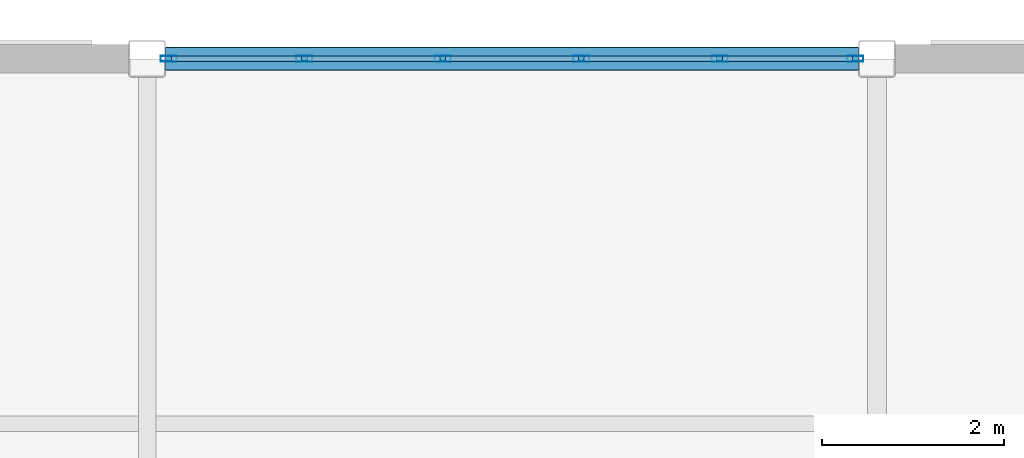
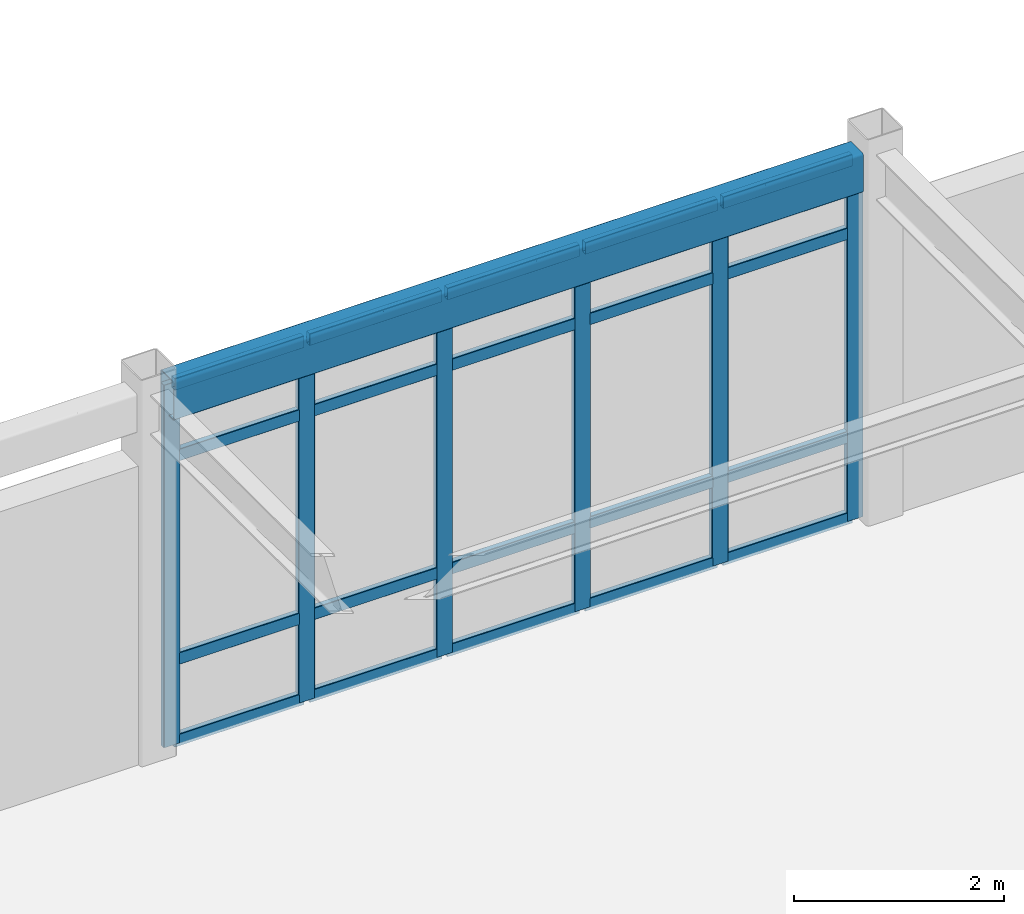
# One storey, part 60 of 111: 26 members, 1 beam, 1 element without a shape of its own.
"""IFC4 building model written with IfcOpenShell, lengths in metres."""

import ifcopenshell
import ifcopenshell.guid

model = None  # the IFC model being written
_history = None  # IfcOwnerHistory: only IFC2X3 demands one
_inside = {}  # id of a spatial element -> (the spatial element, [elements in it])
_under = {}  # id of a project, library or spatial element -> (it, [spatial elements below it])
_declared = {}  # id of a project -> (the project, [libraries it declares])
_typed = {}  # id of a type object -> (the type object, [elements of that type])
_made_of = {}  # id of a material, layer set ... -> (it, [elements and type objects made of it])


def new_model(schema):
    """Start an empty IFC model of exactly this schema.

    Asked for "IFC4X3", IfcOpenShell would pick the latest addendum, in which some entities
    have other attributes; the version numbers below select the first issue.
    IFC2X3 requires an IfcOwnerHistory on every rooted entity: one is made here for all.
    """
    global model, _history
    if schema == "IFC4X3":
        model = ifcopenshell.file(schema_version=(4, 3, 0, 0))
    else:
        model = ifcopenshell.file(schema=schema)
    _inside.clear()
    _under.clear()
    _declared.clear()
    _typed.clear()
    _made_of.clear()
    _history = None
    if model.schema == "IFC2X3":
        org = make("IfcOrganization", Name="unknown")
        user = make(
            "IfcPersonAndOrganization",
            ThePerson=make("IfcPerson", FamilyName="unknown"),
            TheOrganization=org,
        )
        app = make(
            "IfcApplication",
            ApplicationDeveloper=org,
            Version="unknown",
            ApplicationFullName="unknown",
            ApplicationIdentifier="unknown",
        )
        _history = make(
            "IfcOwnerHistory",
            OwningUser=user,
            OwningApplication=app,
            ChangeAction="ADDED",
            CreationDate=0,
        )
    return model


def make(cls, **values):
    """One entity of the class cls with the attributes given. An attribute that is None is left unset."""
    return model.create_entity(
        cls, **{name: value for name, value in values.items() if value is not None}
    )


def rooted(cls, **values):
    """An entity with a GlobalId (a new one), such as an element, a storey or a relation."""
    return make(cls, GlobalId=ifcopenshell.guid.new(), OwnerHistory=_history, **values)


def si_unit(unit_type, name, prefix=None):
    """IfcSIUnit, for example si_unit("LENGTHUNIT", "METRE", prefix="MILLI")."""
    return make("IfcSIUnit", UnitType=unit_type, Prefix=prefix, Name=name)


def assignment(units):
    """IfcUnitAssignment: the units of a project."""
    return None if units is None else make("IfcUnitAssignment", Units=units)


def point(xyz):
    """IfcCartesianPoint."""
    return None if xyz is None else make("IfcCartesianPoint", Coordinates=xyz)


def direction(xyz):
    """IfcDirection."""
    return None if xyz is None else make("IfcDirection", DirectionRatios=xyz)


def frame(location, z_axis=None, x_axis=None):
    """IfcAxis2Placement3D, a coordinate frame: its origin and axes. An axis left out is left unset."""
    return make(
        "IfcAxis2Placement3D",
        Location=point(location),
        Axis=direction(z_axis),
        RefDirection=direction(x_axis),
    )


def frame_2d(location, x_axis=None):
    """IfcAxis2Placement2D, a coordinate frame in the plane: its origin and x axis."""
    return make(
        "IfcAxis2Placement2D", Location=point(location), RefDirection=direction(x_axis)
    )


def origin():
    """The frame at (0, 0, 0) with its axes left unset."""
    return frame((0.0, 0.0, 0.0))


def origin_2d():
    """The frame at (0, 0) in the plane with its x axis left unset."""
    return frame_2d((0.0, 0.0))


def place(relative_to, where):
    """IfcLocalPlacement: puts the frame where relative to a parent placement (None: the world)."""
    return make(
        "IfcLocalPlacement", PlacementRelTo=relative_to, RelativePlacement=where
    )


def context(
    kind, dimensions, precision=None, world=None, true_north=None, identifier=None
):
    """IfcGeometricRepresentationContext, for example the 3D "Model" context."""
    return make(
        "IfcGeometricRepresentationContext",
        ContextIdentifier=identifier,
        ContextType=kind,
        CoordinateSpaceDimension=dimensions,
        Precision=precision,
        WorldCoordinateSystem=world,
        TrueNorth=true_north,
    )


def subcontext(parent, identifier, kind, view, scale=None):
    """IfcGeometricRepresentationSubContext, for example "Body" below "Model"."""
    return make(
        "IfcGeometricRepresentationSubContext",
        ContextIdentifier=identifier,
        ContextType=kind,
        ParentContext=parent,
        TargetScale=scale,
        TargetView=view,
    )


def project(units=None, contexts=None):
    """IfcProject with its units and contexts."""
    return rooted(
        "IfcProject",
        Name="project",
        RepresentationContexts=contexts,
        UnitsInContext=assignment(units),
    )


def spatial(cls, under=None, at=None, **own):
    """A site, building, storey or space (cls), placed at a placement, below another one or the project."""
    s = rooted(cls, ObjectPlacement=at, **own)
    if under is not None:
        _under.setdefault(under.id(), (under, []))[1].append(s)
    return s


def profile(cls, at=None, kind="AREA", **sizes):
    """A parametric profile (cls). Its sizes go by their IFC names, for example OverallWidth=200.0."""
    return make(cls, ProfileType=kind, Position=at, **sizes)


def hollow_rectangle(**sizes):
    """IfcRectangleHollowProfileDef."""
    return profile("IfcRectangleHollowProfileDef", **sizes)


def extrude(swept, where, along, depth):
    """IfcExtrudedAreaSolid: the profile swept, set in the frame where, extruded along a direction by depth."""
    return make(
        "IfcExtrudedAreaSolid",
        SweptArea=swept,
        Position=where,
        ExtrudedDirection=direction(along),
        Depth=depth,
    )


def shape(context_of_items, identifier, shape_type, items):
    """IfcShapeRepresentation: the items that make up one representation, for example the "Body"."""
    return make(
        "IfcShapeRepresentation",
        ContextOfItems=context_of_items,
        RepresentationIdentifier=identifier,
        RepresentationType=shape_type,
        Items=items,
    )


def material(Name=None, Category=None):
    """IfcMaterial."""
    return make("IfcMaterial", Name=Name, Category=Category)


def material_profile(
    of_material, cross_section, Name=None, Category=None, Priority=None
):
    """IfcMaterialProfile: a cross section and its material."""
    return make(
        "IfcMaterialProfile",
        Name=Name,
        Material=of_material,
        Profile=cross_section,
        Priority=Priority,
        Category=Category,
    )


def profile_set(profiles, Name=None, composite=None):
    """IfcMaterialProfileSet."""
    return make(
        "IfcMaterialProfileSet",
        Name=Name,
        MaterialProfiles=profiles,
        CompositeProfile=composite,
    )


def made_of(thing, what):
    """Note that an element or type object is made of a material, layer set ...; save() writes the relation."""
    if what is not None:
        _made_of.setdefault(what.id(), (what, []))[1].append(thing)
    return thing


def type_object(cls, material=None, **own):
    """A type object (cls), such as IfcWallType, which elements share."""
    return made_of(rooted(cls, **own), material)


def element(
    cls,
    number,
    at=None,
    inside=None,
    cuts=None,
    type_object=None,
    material=None,
    context=None,
    identifier="Body",
    shape_type=None,
    held_by="IfcProductDefinitionShape",
    body=None,
    shapes=None,
    **own,
):
    """One element of the class cls, such as IfcWall. Its Tag is "e" and its number.

    at: its placement. inside: the storey or other place that contains it. cuts: it is an
    opening in that element (IfcRelVoidsElement). A single representation is given by context,
    identifier, shape_type and body (its items); several are given by shapes. held_by: the class
    of the entity that holds the representations. save() writes the other relations.
    """
    e = rooted(cls, Tag="e%d" % number, ObjectPlacement=at, **own)
    if body is not None:
        shapes = [shape(context, identifier, shape_type, body)]
    if shapes is not None:
        e.Representation = make(held_by, Representations=shapes)
    if inside is not None:
        _inside.setdefault(inside.id(), (inside, []))[1].append(e)
    if cuts is not None:
        rooted(
            "IfcRelVoidsElement", RelatingBuildingElement=cuts, RelatedOpeningElement=e
        )
    if type_object is not None:
        _typed.setdefault(type_object.id(), (type_object, []))[1].append(e)
    return made_of(e, material)


def aggregate(whole, parts):
    """IfcRelAggregates: a whole, such as a stair, and the parts it consists of."""
    return rooted("IfcRelAggregates", RelatingObject=whole, RelatedObjects=parts)


def save(model, path):
    """Write the relations noted so far, then the file.

    IfcRelAggregates (storeys below a building ...), IfcRelContainedInSpatialStructure (elements
    in a storey), IfcRelDefinesByType, IfcRelAssociatesMaterial and IfcRelDeclares: one each for
    every whole, place, type object, material and project.
    """
    for whole, parts in _under.values():
        aggregate(whole, parts)
    for where, things in _inside.values():
        rooted(
            "IfcRelContainedInSpatialStructure",
            RelatedElements=things,
            RelatingStructure=where,
        )
    for kind, things in _typed.values():
        rooted("IfcRelDefinesByType", RelatedObjects=things, RelatingType=kind)
    for what, things in _made_of.values():
        rooted("IfcRelAssociatesMaterial", RelatedObjects=things, RelatingMaterial=what)
    for by, libraries in _declared.values():
        rooted("IfcRelDeclares", RelatingContext=by, RelatedDefinitions=libraries)
    model.write(path)


model = new_model("IFC4")

# Units and contexts
model_context = context("Model", 3, precision=1e-05, world=origin(), true_north=direction((0.0, 1.0)))
body_context = subcontext(model_context, "Body", "Model", "MODEL_VIEW")
ifc_project = project(units=[si_unit("LENGTHUNIT", "METRE"), si_unit("AREAUNIT", "SQUARE_METRE"), si_unit("VOLUMEUNIT", "CUBIC_METRE"), si_unit("PLANEANGLEUNIT", "RADIAN"), si_unit("MASSUNIT", "GRAM", prefix="KILO")], contexts=[model_context])

# Site, building, storey
site_placement = place(None, origin())
site = spatial("IfcSite", under=ifc_project, at=site_placement, CompositionType="ELEMENT")
building_placement = place(site_placement, origin())
building = spatial("IfcBuilding", under=site, at=building_placement, Name="Solmirada Galleria", CompositionType="ELEMENT")
storey_placement = place(building_placement, frame((0.0, 0.0, 10.39990234375)))
storey = spatial("IfcBuildingStorey", under=building, at=storey_placement, Name="L02", CompositionType="ELEMENT", Elevation=10.39990234375)

# Beam
ifc_material_1 = material(Name="Steel S355 / ASTM A500 Grade C", Category="steel")
ifc_material_profile_1 = material_profile(ifc_material_1, hollow_rectangle(XDim=0.25390625, YDim=0.45703125, WallThickness=0.01171875, InnerFilletRadius=0.01171875, OuterFilletRadius=0.023681640625, at=origin_2d()), Name="HSS18X10X1/2")
ifc_profile_set_1 = profile_set([ifc_material_profile_1], Name="Steel S355 / ASTM A500 Grade C")
beam_type = type_object("IfcBeamType", Name="BM-SPAND-W18", PredefinedType="SPANDREL", material=ifc_profile_set_1)
beam_placement = place(storey_placement, frame((104.202880859375, 120.0, 4.071533203125), z_axis=(1.0, 0.0, 0.0), x_axis=(0.0, 1.0, 0.0)))
element("IfcBeam", 1, at=beam_placement, inside=storey, type_object=beam_type, Name="Primary beam L03 X(104..112, 120)", PredefinedType="SPANDREL", context=body_context, shape_type="SweptSolid", body=[
    extrude(hollow_rectangle(XDim=0.25390625, YDim=0.45703125, WallThickness=0.01171875, InnerFilletRadius=0.01171875, OuterFilletRadius=0.023681640625, at=origin_2d()), origin(), (0.0, 0.0, 1.0), 7.59423828125),
])

# Curtain wall, members
ifc_material_2 = material(Name="Impact-resistant low-E double glazing", Category="glass")
curtain_wall_type = type_object("IfcCurtainWallType", Name="CW-FZ4-L02-B5-L076", PredefinedType="NOTDEFINED", material=ifc_material_2)
curtain_wall_placement = place(storey_placement, origin())
curtain_wall = element("IfcCurtainWall", 2, at=curtain_wall_placement, inside=storey, type_object=curtain_wall_type, Name="Terrace and arcade storefront CW-L02-095", PredefinedType="NOTDEFINED")
ifc_material_3 = material(Name="Anodised aluminium framing", Category="aluminium")
ifc_material_profile_2 = material_profile(ifc_material_3, hollow_rectangle(XDim=0.06494140625, YDim=0.179931640625, WallThickness=0.00390625, InnerFilletRadius=0.00390625, OuterFilletRadius=0.008056640625, at=origin_2d()), Name="ALU-MULL-180X65")
ifc_profile_set_2 = profile_set([ifc_material_profile_2], Name="Anodised aluminium framing")
member_type_1 = type_object("IfcMemberType", Name="CW-MULL-180", PredefinedType="MULLION", material=ifc_profile_set_2)
member_1_placement = place(storey_placement, frame((104.237548828125, 120.0, 0.0), z_axis=(0.0, 0.0, 1.0), x_axis=(0.0, 1.0, 0.0)))
member_1 = element("IfcMember", 3, at=member_1_placement, type_object=member_type_1, Name="CW23 mullion 1", PredefinedType="MULLION", context=body_context, shape_type="SweptSolid", body=[
    extrude(hollow_rectangle(XDim=0.06494140625, YDim=0.179931640625, WallThickness=0.00390625, InnerFilletRadius=0.00390625, OuterFilletRadius=0.008056640625, at=origin_2d()), origin(), (0.0, 0.0, 1.0), 4.22021484375),
])
member_2_placement = place(storey_placement, frame((105.722900390625, 120.0, 0.0), z_axis=(0.0, 0.0, 1.0), x_axis=(0.0, 1.0, 0.0)))
member_2 = element("IfcMember", 4, at=member_2_placement, type_object=member_type_1, Name="CW23 mullion 2", PredefinedType="MULLION", context=body_context, shape_type="SweptSolid", body=[
    extrude(hollow_rectangle(XDim=0.06494140625, YDim=0.179931640625, WallThickness=0.00390625, InnerFilletRadius=0.00390625, OuterFilletRadius=0.008056640625, at=origin_2d()), origin(), (0.0, 0.0, 1.0), 4.22021484375),
])
member_3_placement = place(storey_placement, frame((107.240966796875, 120.0, 0.0), z_axis=(0.0, 0.0, 1.0), x_axis=(0.0, 1.0, 0.0)))
member_3 = element("IfcMember", 5, at=member_3_placement, type_object=member_type_1, Name="CW23 mullion 3", PredefinedType="MULLION", context=body_context, shape_type="SweptSolid", body=[
    extrude(hollow_rectangle(XDim=0.06494140625, YDim=0.179931640625, WallThickness=0.00390625, InnerFilletRadius=0.00390625, OuterFilletRadius=0.008056640625, at=origin_2d()), origin(), (0.0, 0.0, 1.0), 4.22021484375),
])
member_4_placement = place(storey_placement, frame((108.759033203125, 120.0, 0.0), z_axis=(0.0, 0.0, 1.0), x_axis=(0.0, 1.0, 0.0)))
member_4 = element("IfcMember", 6, at=member_4_placement, type_object=member_type_1, Name="CW23 mullion 4", PredefinedType="MULLION", context=body_context, shape_type="SweptSolid", body=[
    extrude(hollow_rectangle(XDim=0.06494140625, YDim=0.179931640625, WallThickness=0.00390625, InnerFilletRadius=0.00390625, OuterFilletRadius=0.008056640625, at=origin_2d()), origin(), (0.0, 0.0, 1.0), 4.22021484375),
])
member_5_placement = place(storey_placement, frame((110.277099609375, 120.0, 0.0), z_axis=(0.0, 0.0, 1.0), x_axis=(0.0, 1.0, 0.0)))
member_5 = element("IfcMember", 7, at=member_5_placement, type_object=member_type_1, Name="CW23 mullion 5", PredefinedType="MULLION", context=body_context, shape_type="SweptSolid", body=[
    extrude(hollow_rectangle(XDim=0.06494140625, YDim=0.179931640625, WallThickness=0.00390625, InnerFilletRadius=0.00390625, OuterFilletRadius=0.008056640625, at=origin_2d()), origin(), (0.0, 0.0, 1.0), 4.22021484375),
])
member_6_placement = place(storey_placement, frame((111.762451171875, 120.0, 0.0), z_axis=(0.0, 0.0, 1.0), x_axis=(0.0, 1.0, 0.0)))
member_6 = element("IfcMember", 8, at=member_6_placement, type_object=member_type_1, Name="CW23 mullion 6", PredefinedType="MULLION", context=body_context, shape_type="SweptSolid", body=[
    extrude(hollow_rectangle(XDim=0.06494140625, YDim=0.179931640625, WallThickness=0.00390625, InnerFilletRadius=0.00390625, OuterFilletRadius=0.008056640625, at=origin_2d()), origin(), (0.0, 0.0, 1.0), 4.22021484375),
])
ifc_material_profile_3 = material_profile(ifc_material_3, hollow_rectangle(XDim=0.06494140625, YDim=0.139892578125, WallThickness=0.00341796875, InnerFilletRadius=0.00341796875, OuterFilletRadius=0.007080078125, at=origin_2d()), Name="ALU-TRAN-140X65")
ifc_profile_set_3 = profile_set([ifc_material_profile_3], Name="Anodised aluminium framing")
member_type_2 = type_object("IfcMemberType", Name="CW-TRAN-140", PredefinedType="USERDEFINED", material=ifc_profile_set_3)
member_7_placement = place(storey_placement, frame((104.27001953125, 120.0, 0.03271484375), z_axis=(1.0, 0.0, 0.0), x_axis=(0.0, 1.0, 0.0)))
member_7 = element("IfcMember", 9, at=member_7_placement, type_object=member_type_2, Name="CW23 transom 1.1", ObjectType="TRANSOM", PredefinedType="USERDEFINED", context=body_context, shape_type="SweptSolid", body=[
    extrude(hollow_rectangle(XDim=0.06494140625, YDim=0.139892578125, WallThickness=0.00341796875, InnerFilletRadius=0.00341796875, OuterFilletRadius=0.007080078125, at=origin_2d()), origin(), (0.0, 0.0, 1.0), 1.42041015625),
])
member_8_placement = place(storey_placement, frame((104.27001953125, 120.0, 0.97998046875), z_axis=(1.0, 0.0, 0.0), x_axis=(0.0, 1.0, 0.0)))
member_8 = element("IfcMember", 10, at=member_8_placement, type_object=member_type_2, Name="CW23 transom 1.2", ObjectType="TRANSOM", PredefinedType="USERDEFINED", context=body_context, shape_type="SweptSolid", body=[
    extrude(hollow_rectangle(XDim=0.06494140625, YDim=0.139892578125, WallThickness=0.00341796875, InnerFilletRadius=0.00341796875, OuterFilletRadius=0.007080078125, at=origin_2d()), origin(), (0.0, 0.0, 1.0), 1.42041015625),
])
member_9_placement = place(storey_placement, frame((104.27001953125, 120.0, 3.35009765625), z_axis=(1.0, 0.0, 0.0), x_axis=(0.0, 1.0, 0.0)))
member_9 = element("IfcMember", 11, at=member_9_placement, type_object=member_type_2, Name="CW23 transom 1.3", ObjectType="TRANSOM", PredefinedType="USERDEFINED", context=body_context, shape_type="SweptSolid", body=[
    extrude(hollow_rectangle(XDim=0.06494140625, YDim=0.139892578125, WallThickness=0.00341796875, InnerFilletRadius=0.00341796875, OuterFilletRadius=0.007080078125, at=origin_2d()), origin(), (0.0, 0.0, 1.0), 1.42041015625),
])
member_10_placement = place(storey_placement, frame((104.27001953125, 120.0, 4.1875), z_axis=(1.0, 0.0, 0.0), x_axis=(0.0, 1.0, 0.0)))
member_10 = element("IfcMember", 12, at=member_10_placement, type_object=member_type_2, Name="CW23 transom 1.4", ObjectType="TRANSOM", PredefinedType="USERDEFINED", context=body_context, shape_type="SweptSolid", body=[
    extrude(hollow_rectangle(XDim=0.06494140625, YDim=0.139892578125, WallThickness=0.00341796875, InnerFilletRadius=0.00341796875, OuterFilletRadius=0.007080078125, at=origin_2d()), origin(), (0.0, 0.0, 1.0), 1.42041015625),
])
member_11_placement = place(storey_placement, frame((105.755615234375, 120.0, 0.03271484375), z_axis=(1.0, 0.0, 0.0), x_axis=(0.0, 1.0, 0.0)))
member_11 = element("IfcMember", 13, at=member_11_placement, type_object=member_type_2, Name="CW23 transom 2.1", ObjectType="TRANSOM", PredefinedType="USERDEFINED", context=body_context, shape_type="SweptSolid", body=[
    extrude(hollow_rectangle(XDim=0.06494140625, YDim=0.139892578125, WallThickness=0.00341796875, InnerFilletRadius=0.00341796875, OuterFilletRadius=0.007080078125, at=origin_2d()), origin(), (0.0, 0.0, 1.0), 1.452880859375),
])
member_12_placement = place(storey_placement, frame((105.755615234375, 120.0, 0.97998046875), z_axis=(1.0, 0.0, 0.0), x_axis=(0.0, 1.0, 0.0)))
member_12 = element("IfcMember", 14, at=member_12_placement, type_object=member_type_2, Name="CW23 transom 2.2", ObjectType="TRANSOM", PredefinedType="USERDEFINED", context=body_context, shape_type="SweptSolid", body=[
    extrude(hollow_rectangle(XDim=0.06494140625, YDim=0.139892578125, WallThickness=0.00341796875, InnerFilletRadius=0.00341796875, OuterFilletRadius=0.007080078125, at=origin_2d()), origin(), (0.0, 0.0, 1.0), 1.452880859375),
])
member_13_placement = place(storey_placement, frame((105.755615234375, 120.0, 3.35009765625), z_axis=(1.0, 0.0, 0.0), x_axis=(0.0, 1.0, 0.0)))
member_13 = element("IfcMember", 15, at=member_13_placement, type_object=member_type_2, Name="CW23 transom 2.3", ObjectType="TRANSOM", PredefinedType="USERDEFINED", context=body_context, shape_type="SweptSolid", body=[
    extrude(hollow_rectangle(XDim=0.06494140625, YDim=0.139892578125, WallThickness=0.00341796875, InnerFilletRadius=0.00341796875, OuterFilletRadius=0.007080078125, at=origin_2d()), origin(), (0.0, 0.0, 1.0), 1.452880859375),
])
member_14_placement = place(storey_placement, frame((105.755615234375, 120.0, 4.1875), z_axis=(1.0, 0.0, 0.0), x_axis=(0.0, 1.0, 0.0)))
member_14 = element("IfcMember", 16, at=member_14_placement, type_object=member_type_2, Name="CW23 transom 2.4", ObjectType="TRANSOM", PredefinedType="USERDEFINED", context=body_context, shape_type="SweptSolid", body=[
    extrude(hollow_rectangle(XDim=0.06494140625, YDim=0.139892578125, WallThickness=0.00341796875, InnerFilletRadius=0.00341796875, OuterFilletRadius=0.007080078125, at=origin_2d()), origin(), (0.0, 0.0, 1.0), 1.452880859375),
])
member_15_placement = place(storey_placement, frame((107.2734375, 120.0, 0.03271484375), z_axis=(1.0, 0.0, 0.0), x_axis=(0.0, 1.0, 0.0)))
member_15 = element("IfcMember", 17, at=member_15_placement, type_object=member_type_2, Name="CW23 transom 3.1", ObjectType="TRANSOM", PredefinedType="USERDEFINED", context=body_context, shape_type="SweptSolid", body=[
    extrude(hollow_rectangle(XDim=0.06494140625, YDim=0.139892578125, WallThickness=0.00341796875, InnerFilletRadius=0.00341796875, OuterFilletRadius=0.007080078125, at=origin_2d()), origin(), (0.0, 0.0, 1.0), 1.453125),
])
member_16_placement = place(storey_placement, frame((107.2734375, 120.0, 0.97998046875), z_axis=(1.0, 0.0, 0.0), x_axis=(0.0, 1.0, 0.0)))
member_16 = element("IfcMember", 18, at=member_16_placement, type_object=member_type_2, Name="CW23 transom 3.2", ObjectType="TRANSOM", PredefinedType="USERDEFINED", context=body_context, shape_type="SweptSolid", body=[
    extrude(hollow_rectangle(XDim=0.06494140625, YDim=0.139892578125, WallThickness=0.00341796875, InnerFilletRadius=0.00341796875, OuterFilletRadius=0.007080078125, at=origin_2d()), origin(), (0.0, 0.0, 1.0), 1.453125),
])
member_17_placement = place(storey_placement, frame((107.2734375, 120.0, 3.35009765625), z_axis=(1.0, 0.0, 0.0), x_axis=(0.0, 1.0, 0.0)))
member_17 = element("IfcMember", 19, at=member_17_placement, type_object=member_type_2, Name="CW23 transom 3.3", ObjectType="TRANSOM", PredefinedType="USERDEFINED", context=body_context, shape_type="SweptSolid", body=[
    extrude(hollow_rectangle(XDim=0.06494140625, YDim=0.139892578125, WallThickness=0.00341796875, InnerFilletRadius=0.00341796875, OuterFilletRadius=0.007080078125, at=origin_2d()), origin(), (0.0, 0.0, 1.0), 1.453125),
])
member_18_placement = place(storey_placement, frame((107.2734375, 120.0, 4.1875), z_axis=(1.0, 0.0, 0.0), x_axis=(0.0, 1.0, 0.0)))
member_18 = element("IfcMember", 20, at=member_18_placement, type_object=member_type_2, Name="CW23 transom 3.4", ObjectType="TRANSOM", PredefinedType="USERDEFINED", context=body_context, shape_type="SweptSolid", body=[
    extrude(hollow_rectangle(XDim=0.06494140625, YDim=0.139892578125, WallThickness=0.00341796875, InnerFilletRadius=0.00341796875, OuterFilletRadius=0.007080078125, at=origin_2d()), origin(), (0.0, 0.0, 1.0), 1.453125),
])
member_19_placement = place(storey_placement, frame((108.79150390625, 120.0, 0.03271484375), z_axis=(1.0, 0.0, 0.0), x_axis=(0.0, 1.0, 0.0)))
member_19 = element("IfcMember", 21, at=member_19_placement, type_object=member_type_2, Name="CW23 transom 4.1", ObjectType="TRANSOM", PredefinedType="USERDEFINED", context=body_context, shape_type="SweptSolid", body=[
    extrude(hollow_rectangle(XDim=0.06494140625, YDim=0.139892578125, WallThickness=0.00341796875, InnerFilletRadius=0.00341796875, OuterFilletRadius=0.007080078125, at=origin_2d()), origin(), (0.0, 0.0, 1.0), 1.452880859375),
])
member_20_placement = place(storey_placement, frame((108.79150390625, 120.0, 0.97998046875), z_axis=(1.0, 0.0, 0.0), x_axis=(0.0, 1.0, 0.0)))
member_20 = element("IfcMember", 22, at=member_20_placement, type_object=member_type_2, Name="CW23 transom 4.2", ObjectType="TRANSOM", PredefinedType="USERDEFINED", context=body_context, shape_type="SweptSolid", body=[
    extrude(hollow_rectangle(XDim=0.06494140625, YDim=0.139892578125, WallThickness=0.00341796875, InnerFilletRadius=0.00341796875, OuterFilletRadius=0.007080078125, at=origin_2d()), origin(), (0.0, 0.0, 1.0), 1.452880859375),
])
member_21_placement = place(storey_placement, frame((108.79150390625, 120.0, 3.35009765625), z_axis=(1.0, 0.0, 0.0), x_axis=(0.0, 1.0, 0.0)))
member_21 = element("IfcMember", 23, at=member_21_placement, type_object=member_type_2, Name="CW23 transom 4.3", ObjectType="TRANSOM", PredefinedType="USERDEFINED", context=body_context, shape_type="SweptSolid", body=[
    extrude(hollow_rectangle(XDim=0.06494140625, YDim=0.139892578125, WallThickness=0.00341796875, InnerFilletRadius=0.00341796875, OuterFilletRadius=0.007080078125, at=origin_2d()), origin(), (0.0, 0.0, 1.0), 1.452880859375),
])
member_22_placement = place(storey_placement, frame((108.79150390625, 120.0, 4.1875), z_axis=(1.0, 0.0, 0.0), x_axis=(0.0, 1.0, 0.0)))
member_22 = element("IfcMember", 24, at=member_22_placement, type_object=member_type_2, Name="CW23 transom 4.4", ObjectType="TRANSOM", PredefinedType="USERDEFINED", context=body_context, shape_type="SweptSolid", body=[
    extrude(hollow_rectangle(XDim=0.06494140625, YDim=0.139892578125, WallThickness=0.00341796875, InnerFilletRadius=0.00341796875, OuterFilletRadius=0.007080078125, at=origin_2d()), origin(), (0.0, 0.0, 1.0), 1.452880859375),
])
member_23_placement = place(storey_placement, frame((110.3095703125, 120.0, 0.03271484375), z_axis=(1.0, 0.0, 0.0), x_axis=(0.0, 1.0, 0.0)))
member_23 = element("IfcMember", 25, at=member_23_placement, type_object=member_type_2, Name="CW23 transom 5.1", ObjectType="TRANSOM", PredefinedType="USERDEFINED", context=body_context, shape_type="SweptSolid", body=[
    extrude(hollow_rectangle(XDim=0.06494140625, YDim=0.139892578125, WallThickness=0.00341796875, InnerFilletRadius=0.00341796875, OuterFilletRadius=0.007080078125, at=origin_2d()), origin(), (0.0, 0.0, 1.0), 1.42041015625),
])
member_24_placement = place(storey_placement, frame((110.3095703125, 120.0, 0.97998046875), z_axis=(1.0, 0.0, 0.0), x_axis=(0.0, 1.0, 0.0)))
member_24 = element("IfcMember", 26, at=member_24_placement, type_object=member_type_2, Name="CW23 transom 5.2", ObjectType="TRANSOM", PredefinedType="USERDEFINED", context=body_context, shape_type="SweptSolid", body=[
    extrude(hollow_rectangle(XDim=0.06494140625, YDim=0.139892578125, WallThickness=0.00341796875, InnerFilletRadius=0.00341796875, OuterFilletRadius=0.007080078125, at=origin_2d()), origin(), (0.0, 0.0, 1.0), 1.42041015625),
])
member_25_placement = place(storey_placement, frame((110.3095703125, 120.0, 3.35009765625), z_axis=(1.0, 0.0, 0.0), x_axis=(0.0, 1.0, 0.0)))
member_25 = element("IfcMember", 27, at=member_25_placement, type_object=member_type_2, Name="CW23 transom 5.3", ObjectType="TRANSOM", PredefinedType="USERDEFINED", context=body_context, shape_type="SweptSolid", body=[
    extrude(hollow_rectangle(XDim=0.06494140625, YDim=0.139892578125, WallThickness=0.00341796875, InnerFilletRadius=0.00341796875, OuterFilletRadius=0.007080078125, at=origin_2d()), origin(), (0.0, 0.0, 1.0), 1.42041015625),
])
member_26_placement = place(storey_placement, frame((110.3095703125, 120.0, 4.1875), z_axis=(1.0, 0.0, 0.0), x_axis=(0.0, 1.0, 0.0)))
member_26 = element("IfcMember", 28, at=member_26_placement, type_object=member_type_2, Name="CW23 transom 5.4", ObjectType="TRANSOM", PredefinedType="USERDEFINED", context=body_context, shape_type="SweptSolid", body=[
    extrude(hollow_rectangle(XDim=0.06494140625, YDim=0.139892578125, WallThickness=0.00341796875, InnerFilletRadius=0.00341796875, OuterFilletRadius=0.007080078125, at=origin_2d()), origin(), (0.0, 0.0, 1.0), 1.42041015625),
])
aggregate(curtain_wall, [member_1, member_2, member_3, member_4, member_5, member_6, member_7, member_8, member_9, member_10, member_11, member_12, member_13, member_14, member_15, member_16, member_17, member_18, member_19, member_20, member_21, member_22, member_23, member_24, member_25, member_26])

save(model, "model.ifc")
